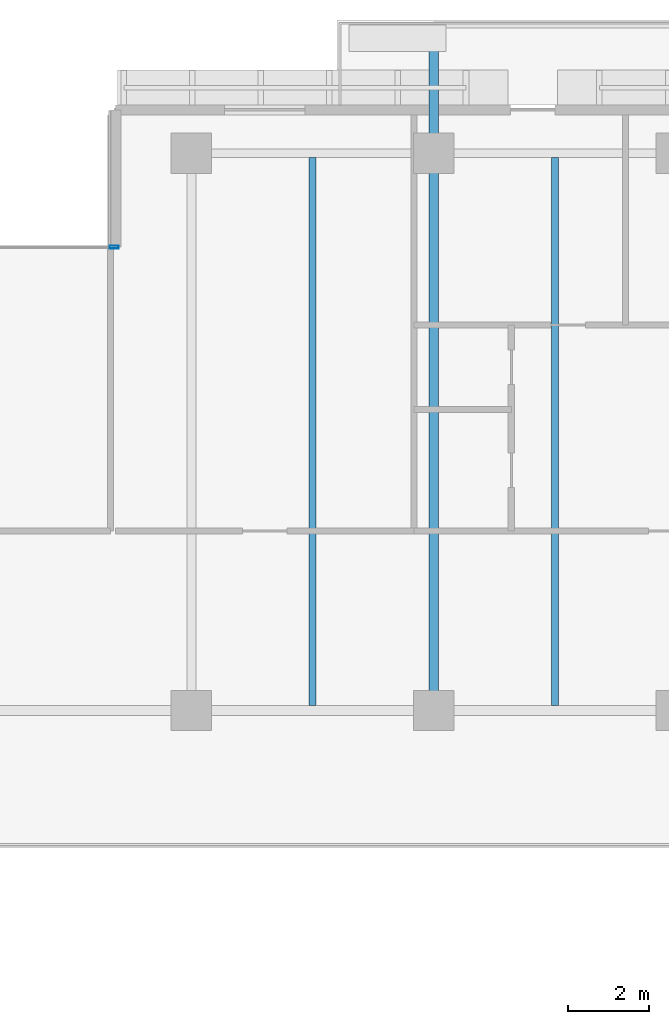
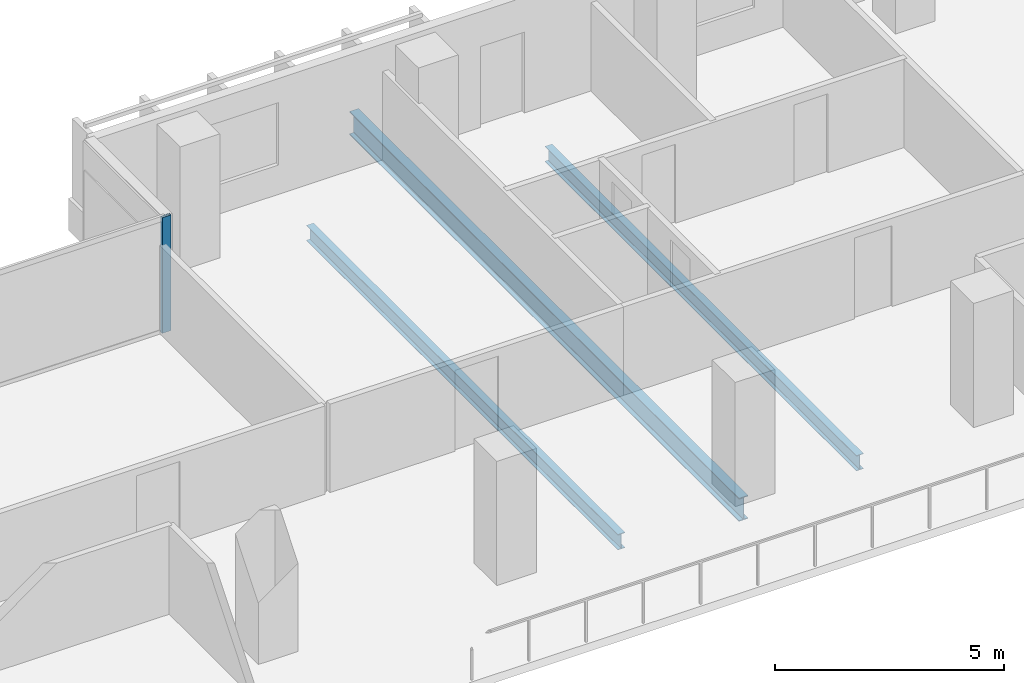
# One storey, part 13 of 35: 3 beams, 1 member, 1 element without a shape of its own.
"""IFC4 building model written with IfcOpenShell, lengths in metres."""

from ifc_helpers import new_model, si_unit, direction, frame, origin, origin_2d, place, context, subcontext, project, spatial, hollow_rectangle, i_section, extrude, material, layer, layer_set, material_profile, profile_set, type_object, element, aggregate, save


model = new_model("IFC4")

# Units and contexts
model_context = context("Model", 3, precision=1e-05, world=origin(), true_north=direction((0.0, 1.0)))
body_context = subcontext(model_context, "Body", "Model", "MODEL_VIEW")
ifc_project = project(units=[si_unit("LENGTHUNIT", "METRE"), si_unit("AREAUNIT", "SQUARE_METRE"), si_unit("VOLUMEUNIT", "CUBIC_METRE"), si_unit("PLANEANGLEUNIT", "RADIAN"), si_unit("MASSUNIT", "GRAM", prefix="KILO")], contexts=[model_context])

# Site, building, storey
site_placement = place(None, origin())
site = spatial("IfcSite", under=ifc_project, at=site_placement, CompositionType="ELEMENT")
building_placement = place(site_placement, origin())
building = spatial("IfcBuilding", under=site, at=building_placement, Name="Tanjung Sevakor Pilgrim Tower", CompositionType="ELEMENT")
storey_placement = place(building_placement, frame((0.0, 0.0, 92.070068359375)))
storey = spatial("IfcBuildingStorey", under=building, at=storey_placement, Name="L25", CompositionType="ELEMENT", Elevation=92.070068359375)

# Beams
ifc_material_1 = material(Name="Steel S355J2", Category="steel")
ifc_material_profile_1 = material_profile(ifc_material_1, i_section(OverallWidth=0.230224609375, OverallDepth=0.6171875, WebThickness=0.01318359375, FlangeThickness=0.022216796875, FilletRadius=0.0126953125, at=origin_2d()))
ifc_profile_set_1 = profile_set([ifc_material_profile_1], Name="Steel S355J2")
beam_type_1 = type_object("IfcBeamType", Name="BM-B-G3-UB_610x229x140", PredefinedType="BEAM", material=ifc_profile_set_1)
beam_placement = place(storey_placement, frame((60.0, 42.60009765625, -0.528564453125), z_axis=(0.0, 1.0, 0.0), x_axis=(-1.0, 0.0, 0.0)))
element("IfcBeam", 1, at=beam_placement, inside=storey, type_object=beam_type_1, Name="L25 Balcony Cantilever Beam MAIN-N2-1", PredefinedType="BEAM", context=body_context, shape_type="SweptSolid", body=[
    extrude(i_section(OverallWidth=0.230224609375, OverallDepth=0.6171875, WebThickness=0.01318359375, FlangeThickness=0.022216796875, FilletRadius=0.0126953125, at=origin_2d()), origin(), (0.0, 0.0, 1.0), 16.97998046875),
])
ifc_material_2 = material(Name="Steel S355J2", Category="steel")
ifc_material_profile_2 = material_profile(ifc_material_2, i_section(OverallWidth=0.1787109375, OverallDepth=0.409423828125, WebThickness=0.0087890625, FlangeThickness=0.014404296875, FilletRadius=0.01025390625, at=origin_2d()))
ifc_profile_set_2 = profile_set([ifc_material_profile_2], Name="Steel S355J2")
beam_type_2 = type_object("IfcBeamType", Name="BM-B-J3-UB_406x178x67", PredefinedType="JOIST", material=ifc_profile_set_2)
for number, where, z_axis, x_axis, name in (
    (2, (57.0, 42.727294921875, -0.4248046875), (0.0, 1.0, 0.0), (-1.0, 0.0, 0.0), "L25 MAIN Joist 015"),
    (3, (63.0, 42.727294921875, -0.4248046875), (0.0, 1.0, 0.0), (-1.0, 0.0, 0.0), "L25 MAIN Joist 017"),
):
    element("IfcBeam", number, at=place(storey_placement, frame(where, z_axis=z_axis, x_axis=x_axis)), inside=storey, type_object=beam_type_2, Name=name, PredefinedType="JOIST", context=body_context, shape_type="SweptSolid", body=[
        extrude(i_section(OverallWidth=0.1787109375, OverallDepth=0.409423828125, WebThickness=0.0087890625, FlangeThickness=0.014404296875, FilletRadius=0.01025390625, at=origin_2d()), origin(), (0.0, 0.0, 1.0), 13.57275390625),
    ])

# Curtain wall, member
ifc_material_3 = material(Name="Aluminium 6063-T6 and Low-E Glass", Category="aluminium")
ifc_layer = layer(ifc_material_3, 0.179931640625)
ifc_layer_set = layer_set([ifc_layer], Name="CW-SYS-CLEFT")
curtain_wall_type = type_object("IfcCurtainWallType", Name="CW-SYS-CLEFT", PredefinedType="NOTDEFINED", material=ifc_layer_set)
curtain_wall_placement = place(storey_placement, origin())
curtain_wall = element("IfcCurtainWall", 4, at=curtain_wall_placement, inside=storey, type_object=curtain_wall_type, Name="L25 Curtain Wall CW-CLF-L25-10", PredefinedType="NOTDEFINED")
ifc_material_4 = material(Name="Aluminium 6063-T6", Category="aluminium")
ifc_material_profile_3 = material_profile(ifc_material_4, hollow_rectangle(XDim=0.074951171875, YDim=0.219970703125, WallThickness=0.0048828125, at=origin_2d()))
ifc_profile_set_3 = profile_set([ifc_material_profile_3], Name="Aluminium 6063-T6")
member_type = type_object("IfcMemberType", Name="TYPE-CWM-2", PredefinedType="MULLION", material=ifc_profile_set_3)
member_placement = place(storey_placement, frame((52.08740234375, 54.074951171875, 0.0), z_axis=(0.0, 0.0, 1.0), x_axis=(0.0, -1.0, 0.0)))
member = element("IfcMember", 5, at=member_placement, type_object=member_type, Name="CW-CLF mullion 1", PredefinedType="MULLION", context=body_context, shape_type="SweptSolid", body=[
    extrude(hollow_rectangle(XDim=0.074951171875, YDim=0.219970703125, WallThickness=0.0048828125, at=origin_2d()), origin(), (0.0, 0.0, 1.0), 3.079833984375),
])
aggregate(curtain_wall, [member])

save(model, "model.ifc")
